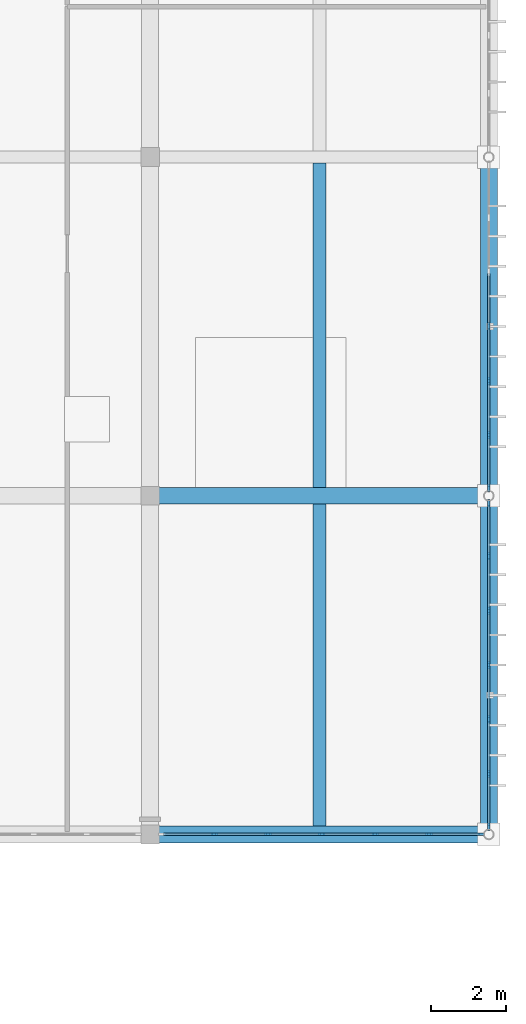
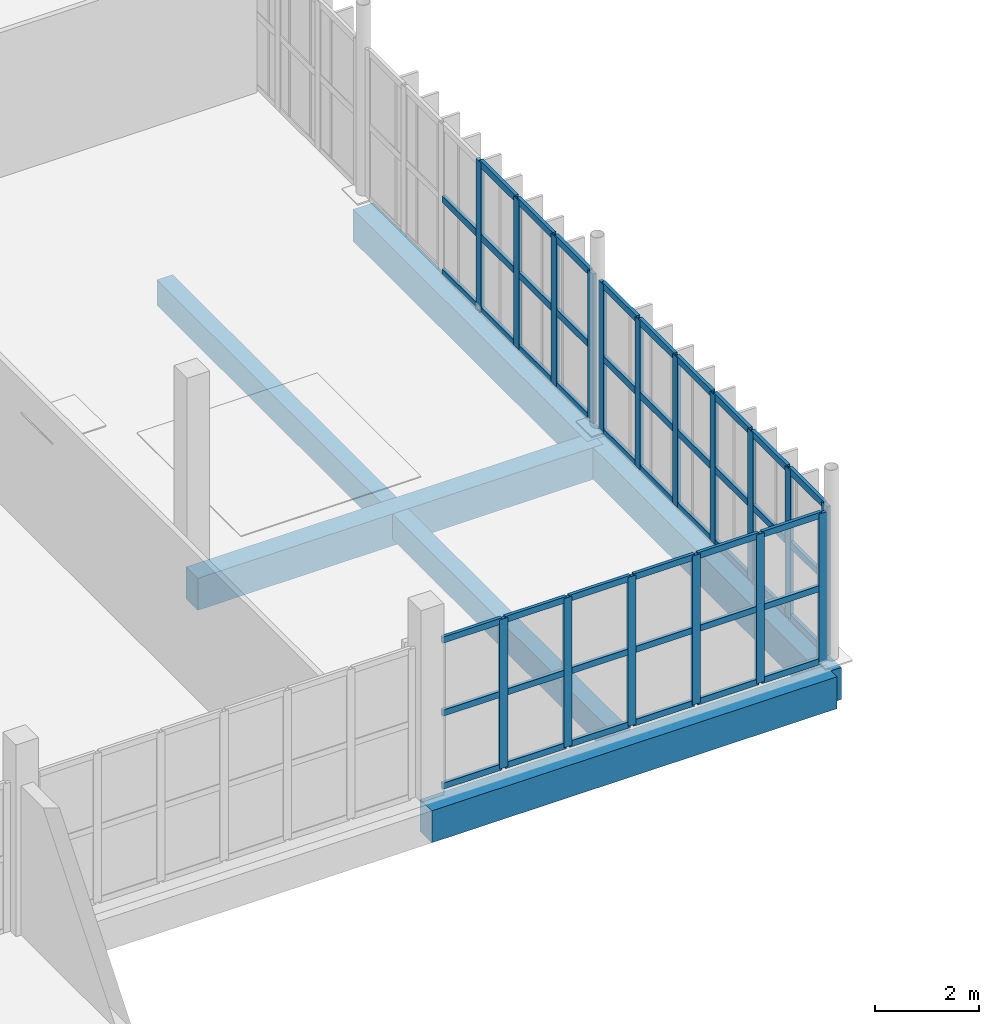
# One storey, part 31 of 81: 64 members, 6 beams, 3 elements without a shape of their own.
"""IFC4 building model written with IfcOpenShell, lengths in metres."""

from ifc_helpers import new_model, si_unit, direction, frame, origin, origin_2d, place, context, subcontext, project, spatial, rectangle, extrude, material, material_profile, profile_set, type_object, element, aggregate, save


model = new_model("IFC4")

# Units and contexts
model_context = context("Model", 3, precision=1e-05, world=origin(), true_north=direction((0.0, 1.0)))
body_context = subcontext(model_context, "Body", "Model", "MODEL_VIEW")
ifc_project = project(units=[si_unit("LENGTHUNIT", "METRE"), si_unit("AREAUNIT", "SQUARE_METRE"), si_unit("VOLUMEUNIT", "CUBIC_METRE"), si_unit("PLANEANGLEUNIT", "RADIAN"), si_unit("MASSUNIT", "GRAM", prefix="KILO")], contexts=[model_context])

# Site, building, storey
site_placement = place(None, origin())
site = spatial("IfcSite", under=ifc_project, at=site_placement, CompositionType="ELEMENT")
building_placement = place(site_placement, origin())
building = spatial("IfcBuilding", under=site, at=building_placement, Name="Vourika Railside Aquatics Centre", CompositionType="ELEMENT")
storey_placement = place(building_placement, frame((0.0, 0.0, 4.800048828125)))
storey = spatial("IfcBuildingStorey", under=building, at=storey_placement, Name="L01", CompositionType="ELEMENT", Elevation=4.800048828125)

# Beams
ifc_material_1 = material(Name="Concrete C35/45", Category="concrete")
ifc_material_profile_1 = material_profile(ifc_material_1, rectangle(XDim=0.449951171875, YDim=0.75, at=origin_2d()), Name="RC 450x750")
ifc_profile_set_1 = profile_set([ifc_material_profile_1], Name="Concrete C35/45")
beam_type_1 = type_object("IfcBeamType", Name="BM-GIRD-450x750", PredefinedType="BEAM", material=ifc_profile_set_1)
for number, where, z_axis, x_axis, name in (
    (1, (159.0, 40.0, -0.675048828125), (1.0, 0.0, 0.0), (0.0, 1.0, 0.0), "Floor Beam GX-L01-050"),
    (2, (159.0, 49.0, -0.675048828125), (1.0, 0.0, 0.0), (0.0, 1.0, 0.0), "Floor Beam GX-L01-057"),
    (3, (168.0, 40.0, -0.675048828125), (0.0, 1.0, 0.0), (-1.0, 0.0, 0.0), "Floor Girder GY-L01-292"),
    (4, (168.0, 49.0, -0.675048828125), (0.0, 1.0, 0.0), (-1.0, 0.0, 0.0), "Floor Girder GY-L01-293"),
):
    element("IfcBeam", number, at=place(storey_placement, frame(where, z_axis=z_axis, x_axis=x_axis)), inside=storey, type_object=beam_type_1, Name=name, PredefinedType="BEAM", context=body_context, shape_type="SweptSolid", body=[
        extrude(rectangle(XDim=0.449951171875, YDim=0.75, at=origin_2d()), origin(), (0.0, 0.0, 1.0), 9.0),
    ])
ifc_material_profile_2 = material_profile(ifc_material_1, rectangle(XDim=0.35009765625, YDim=0.60009765625, at=origin_2d()), Name="RC 350x600")
ifc_profile_set_2 = profile_set([ifc_material_profile_2], Name="Concrete C35/45")
beam_type_2 = type_object("IfcBeamType", Name="BM-SEC-350x600", PredefinedType="JOIST", material=ifc_profile_set_2)
beam_1_placement = place(storey_placement, frame((163.5, 40.22509765625, -0.60009765625), z_axis=(0.0, 1.0, 0.0), x_axis=(-1.0, 0.0, 0.0)))
element("IfcBeam", 5, at=beam_1_placement, inside=storey, type_object=beam_type_2, Name="Secondary Joist JY-L01-325", PredefinedType="JOIST", context=body_context, shape_type="SweptSolid", body=[
    extrude(rectangle(XDim=0.35009765625, YDim=0.60009765625, at=origin_2d()), origin(), (0.0, 0.0, 1.0), 8.5498046875),
])
beam_2_placement = place(storey_placement, frame((163.5, 49.22509765625, -0.60009765625), z_axis=(0.0, 1.0, 0.0), x_axis=(-1.0, 0.0, 0.0)))
element("IfcBeam", 6, at=beam_2_placement, inside=storey, type_object=beam_type_2, Name="Secondary Joist JY-L01-330", PredefinedType="JOIST", context=body_context, shape_type="SweptSolid", body=[
    extrude(rectangle(XDim=0.35009765625, YDim=0.60009765625, at=origin_2d()), origin(), (0.0, 0.0, 1.0), 8.614990234375),
])

# Curtain wall, members
ifc_material_2 = material(Name="Anodized thermally broken aluminium", Category="aluminium")
curtain_wall_type_1 = type_object("IfcCurtainWallType", Name="CW-FOYE", PredefinedType="NOTDEFINED", material=ifc_material_2)
curtain_wall_1_placement = place(storey_placement, origin())
curtain_wall_1 = element("IfcCurtainWall", 7, at=curtain_wall_1_placement, inside=storey, type_object=curtain_wall_type_1, Name="East Arrival Facade Curtain Wall L01-1", PredefinedType="NOTDEFINED")
ifc_material_3 = material(Name="Anodized aluminium mullion", Category="aluminium")
ifc_material_profile_3 = material_profile(ifc_material_3, rectangle(XDim=0.074951171875, YDim=0.199951171875, at=origin_2d()), Name="ALU-M 75x200")
ifc_profile_set_3 = profile_set([ifc_material_profile_3], Name="Anodized aluminium mullion")
member_type_1 = type_object("IfcMemberType", Name="CWM-FOYE", PredefinedType="MULLION", material=ifc_profile_set_3)
member_1_placement = place(storey_placement, frame((168.0, 40.2041015625, 0.0), z_axis=(0.0, 0.0, 1.0), x_axis=(-1.0, 0.0, 0.0)))
member_1 = element("IfcMember", 8, at=member_1_placement, type_object=member_type_1, Name="CW10 mullion 1", PredefinedType="MULLION", context=body_context, shape_type="SweptSolid", body=[
    extrude(rectangle(XDim=0.074951171875, YDim=0.199951171875, at=origin_2d()), origin(), (0.0, 0.0, 1.0), 3.5),
])
member_2_placement = place(storey_placement, frame((168.0, 41.611083984375, 0.0), z_axis=(0.0, 0.0, 1.0), x_axis=(-1.0, 0.0, 0.0)))
member_2 = element("IfcMember", 9, at=member_2_placement, type_object=member_type_1, Name="CW10 mullion 2", PredefinedType="MULLION", context=body_context, shape_type="SweptSolid", body=[
    extrude(rectangle(XDim=0.074951171875, YDim=0.199951171875, at=origin_2d()), origin(), (0.0, 0.0, 1.0), 3.5),
])
member_3_placement = place(storey_placement, frame((168.0, 43.055419921875, 0.0), z_axis=(0.0, 0.0, 1.0), x_axis=(-1.0, 0.0, 0.0)))
member_3 = element("IfcMember", 10, at=member_3_placement, type_object=member_type_1, Name="CW10 mullion 3", PredefinedType="MULLION", context=body_context, shape_type="SweptSolid", body=[
    extrude(rectangle(XDim=0.074951171875, YDim=0.199951171875, at=origin_2d()), origin(), (0.0, 0.0, 1.0), 3.5),
])
member_4_placement = place(storey_placement, frame((168.0, 44.5, 0.0), z_axis=(0.0, 0.0, 1.0), x_axis=(-1.0, 0.0, 0.0)))
member_4 = element("IfcMember", 11, at=member_4_placement, type_object=member_type_1, Name="CW10 mullion 4", PredefinedType="MULLION", context=body_context, shape_type="SweptSolid", body=[
    extrude(rectangle(XDim=0.074951171875, YDim=0.199951171875, at=origin_2d()), origin(), (0.0, 0.0, 1.0), 3.5),
])
member_5_placement = place(storey_placement, frame((168.0, 45.944580078125, 0.0), z_axis=(0.0, 0.0, 1.0), x_axis=(-1.0, 0.0, 0.0)))
member_5 = element("IfcMember", 12, at=member_5_placement, type_object=member_type_1, Name="CW10 mullion 5", PredefinedType="MULLION", context=body_context, shape_type="SweptSolid", body=[
    extrude(rectangle(XDim=0.074951171875, YDim=0.199951171875, at=origin_2d()), origin(), (0.0, 0.0, 1.0), 3.5),
])
member_6_placement = place(storey_placement, frame((168.0, 47.388916015625, 0.0), z_axis=(0.0, 0.0, 1.0), x_axis=(-1.0, 0.0, 0.0)))
member_6 = element("IfcMember", 13, at=member_6_placement, type_object=member_type_1, Name="CW10 mullion 6", PredefinedType="MULLION", context=body_context, shape_type="SweptSolid", body=[
    extrude(rectangle(XDim=0.074951171875, YDim=0.199951171875, at=origin_2d()), origin(), (0.0, 0.0, 1.0), 3.5),
])
member_7_placement = place(storey_placement, frame((168.0, 48.7958984375, 0.0), z_axis=(0.0, 0.0, 1.0), x_axis=(-1.0, 0.0, 0.0)))
member_7 = element("IfcMember", 14, at=member_7_placement, type_object=member_type_1, Name="CW10 mullion 7", PredefinedType="MULLION", context=body_context, shape_type="SweptSolid", body=[
    extrude(rectangle(XDim=0.074951171875, YDim=0.199951171875, at=origin_2d()), origin(), (0.0, 0.0, 1.0), 3.5),
])

curtain_wall_2_placement = place(storey_placement, origin())
curtain_wall_2 = element("IfcCurtainWall", 15, at=curtain_wall_2_placement, inside=storey, type_object=curtain_wall_type_1, Name="East Arrival Facade Curtain Wall L01-2", PredefinedType="NOTDEFINED")
member_8_placement = place(storey_placement, frame((168.0, 49.2041015625, 0.0), z_axis=(0.0, 0.0, 1.0), x_axis=(-1.0, 0.0, 0.0)))
member_8 = element("IfcMember", 16, at=member_8_placement, type_object=member_type_1, Name="CW10 mullion 1", PredefinedType="MULLION", context=body_context, shape_type="SweptSolid", body=[
    extrude(rectangle(XDim=0.074951171875, YDim=0.199951171875, at=origin_2d()), origin(), (0.0, 0.0, 1.0), 3.5),
])
member_9_placement = place(storey_placement, frame((168.0, 50.611083984375, 0.0), z_axis=(0.0, 0.0, 1.0), x_axis=(-1.0, 0.0, 0.0)))
member_9 = element("IfcMember", 17, at=member_9_placement, type_object=member_type_1, Name="CW10 mullion 2", PredefinedType="MULLION", context=body_context, shape_type="SweptSolid", body=[
    extrude(rectangle(XDim=0.074951171875, YDim=0.199951171875, at=origin_2d()), origin(), (0.0, 0.0, 1.0), 3.5),
])
member_10_placement = place(storey_placement, frame((168.0, 52.055419921875, 0.0), z_axis=(0.0, 0.0, 1.0), x_axis=(-1.0, 0.0, 0.0)))
member_10 = element("IfcMember", 18, at=member_10_placement, type_object=member_type_1, Name="CW10 mullion 3", PredefinedType="MULLION", context=body_context, shape_type="SweptSolid", body=[
    extrude(rectangle(XDim=0.074951171875, YDim=0.199951171875, at=origin_2d()), origin(), (0.0, 0.0, 1.0), 3.5),
])
member_11_placement = place(storey_placement, frame((168.0, 53.5, 0.0), z_axis=(0.0, 0.0, 1.0), x_axis=(-1.0, 0.0, 0.0)))
member_11 = element("IfcMember", 19, at=member_11_placement, type_object=member_type_1, Name="CW10 mullion 4", PredefinedType="MULLION", context=body_context, shape_type="SweptSolid", body=[
    extrude(rectangle(XDim=0.074951171875, YDim=0.199951171875, at=origin_2d()), origin(), (0.0, 0.0, 1.0), 3.5),
])

curtain_wall_type_2 = type_object("IfcCurtainWallType", Name="CW-FOYS", PredefinedType="NOTDEFINED", material=ifc_material_2)
curtain_wall_3_placement = place(storey_placement, origin())
curtain_wall_3 = element("IfcCurtainWall", 20, at=curtain_wall_3_placement, inside=storey, type_object=curtain_wall_type_2, Name="Foyer South Glazed Facade L01-3", PredefinedType="NOTDEFINED")
ifc_material_profile_4 = material_profile(ifc_material_3, rectangle(XDim=0.072021484375, YDim=0.181884765625, at=origin_2d()), Name="ALU-M 72x182")
ifc_profile_set_4 = profile_set([ifc_material_profile_4], Name="Anodized aluminium mullion")
member_type_2 = type_object("IfcMemberType", Name="CWM-FOYS", PredefinedType="MULLION", material=ifc_profile_set_4)
member_12_placement = place(storey_placement, frame((160.70556640625, 40.0, 0.0), z_axis=(0.0, 0.0, 1.0), x_axis=(0.0, 1.0, 0.0)))
member_12 = element("IfcMember", 21, at=member_12_placement, type_object=member_type_2, Name="CW11 mullion 2", PredefinedType="MULLION", context=body_context, shape_type="SweptSolid", body=[
    extrude(rectangle(XDim=0.072021484375, YDim=0.181884765625, at=origin_2d()), origin(), (0.0, 0.0, 1.0), 3.5),
])
member_13_placement = place(storey_placement, frame((162.131103515625, 40.0, 0.0), z_axis=(0.0, 0.0, 1.0), x_axis=(0.0, 1.0, 0.0)))
member_13 = element("IfcMember", 22, at=member_13_placement, type_object=member_type_2, Name="CW11 mullion 3", PredefinedType="MULLION", context=body_context, shape_type="SweptSolid", body=[
    extrude(rectangle(XDim=0.072021484375, YDim=0.181884765625, at=origin_2d()), origin(), (0.0, 0.0, 1.0), 3.5),
])
member_14_placement = place(storey_placement, frame((163.556640625, 40.0, 0.0), z_axis=(0.0, 0.0, 1.0), x_axis=(0.0, 1.0, 0.0)))
member_14 = element("IfcMember", 23, at=member_14_placement, type_object=member_type_2, Name="CW11 mullion 4", PredefinedType="MULLION", context=body_context, shape_type="SweptSolid", body=[
    extrude(rectangle(XDim=0.072021484375, YDim=0.181884765625, at=origin_2d()), origin(), (0.0, 0.0, 1.0), 3.5),
])
member_15_placement = place(storey_placement, frame((164.982421875, 40.0, 0.0), z_axis=(0.0, 0.0, 1.0), x_axis=(0.0, 1.0, 0.0)))
member_15 = element("IfcMember", 24, at=member_15_placement, type_object=member_type_2, Name="CW11 mullion 5", PredefinedType="MULLION", context=body_context, shape_type="SweptSolid", body=[
    extrude(rectangle(XDim=0.072021484375, YDim=0.181884765625, at=origin_2d()), origin(), (0.0, 0.0, 1.0), 3.5),
])
member_16_placement = place(storey_placement, frame((166.407958984375, 40.0, 0.0), z_axis=(0.0, 0.0, 1.0), x_axis=(0.0, 1.0, 0.0)))
member_16 = element("IfcMember", 25, at=member_16_placement, type_object=member_type_2, Name="CW11 mullion 6", PredefinedType="MULLION", context=body_context, shape_type="SweptSolid", body=[
    extrude(rectangle(XDim=0.072021484375, YDim=0.181884765625, at=origin_2d()), origin(), (0.0, 0.0, 1.0), 3.5),
])
member_17_placement = place(storey_placement, frame((167.797607421875, 40.0, 0.0), z_axis=(0.0, 0.0, 1.0), x_axis=(0.0, 1.0, 0.0)))
member_17 = element("IfcMember", 26, at=member_17_placement, type_object=member_type_2, Name="CW11 mullion 7", PredefinedType="MULLION", context=body_context, shape_type="SweptSolid", body=[
    extrude(rectangle(XDim=0.072021484375, YDim=0.181884765625, at=origin_2d()), origin(), (0.0, 0.0, 1.0), 3.5),
])

# Member
ifc_material_4 = material(Name="Anodized aluminium transom", Category="aluminium")
ifc_material_profile_5 = material_profile(ifc_material_4, rectangle(XDim=0.074951171875, YDim=0.157958984375, at=origin_2d()), Name="ALU-T 75x158")
ifc_profile_set_5 = profile_set([ifc_material_profile_5], Name="Anodized aluminium transom")
member_type_3 = type_object("IfcMemberType", Name="CWT-FOYE", PredefinedType="USERDEFINED", material=ifc_profile_set_5)
member_18_placement = place(storey_placement, frame((168.0, 40.241455078125, 0.037353515625), z_axis=(0.0, 1.0, 0.0), x_axis=(-1.0, 0.0, 0.0)))
member_18 = element("IfcMember", 27, at=member_18_placement, type_object=member_type_3, Name="CW10 transom 1.1", ObjectType="TRANSOM", PredefinedType="USERDEFINED", context=body_context, shape_type="SweptSolid", body=[
    extrude(rectangle(XDim=0.074951171875, YDim=0.157958984375, at=origin_2d()), origin(), (0.0, 0.0, 1.0), 1.33203125),
])

member_19_placement = place(storey_placement, frame((168.0, 40.241455078125, 1.75), z_axis=(0.0, 1.0, 0.0), x_axis=(-1.0, 0.0, 0.0)))
member_19 = element("IfcMember", 28, at=member_19_placement, type_object=member_type_3, Name="CW10 transom 1.2", ObjectType="TRANSOM", PredefinedType="USERDEFINED", context=body_context, shape_type="SweptSolid", body=[
    extrude(rectangle(XDim=0.074951171875, YDim=0.157958984375, at=origin_2d()), origin(), (0.0, 0.0, 1.0), 1.33203125),
])

member_20_placement = place(storey_placement, frame((168.0, 40.241455078125, 3.46240234375), z_axis=(0.0, 1.0, 0.0), x_axis=(-1.0, 0.0, 0.0)))
member_20 = element("IfcMember", 29, at=member_20_placement, type_object=member_type_3, Name="CW10 transom 1.3", ObjectType="TRANSOM", PredefinedType="USERDEFINED", context=body_context, shape_type="SweptSolid", body=[
    extrude(rectangle(XDim=0.074951171875, YDim=0.157958984375, at=origin_2d()), origin(), (0.0, 0.0, 1.0), 1.33203125),
])

member_21_placement = place(storey_placement, frame((168.0, 41.6484375, 0.037353515625), z_axis=(0.0, 1.0, 0.0), x_axis=(-1.0, 0.0, 0.0)))
member_21 = element("IfcMember", 30, at=member_21_placement, type_object=member_type_3, Name="CW10 transom 2.1", ObjectType="TRANSOM", PredefinedType="USERDEFINED", context=body_context, shape_type="SweptSolid", body=[
    extrude(rectangle(XDim=0.074951171875, YDim=0.157958984375, at=origin_2d()), origin(), (0.0, 0.0, 1.0), 1.36962890625),
])

member_22_placement = place(storey_placement, frame((168.0, 41.6484375, 1.75), z_axis=(0.0, 1.0, 0.0), x_axis=(-1.0, 0.0, 0.0)))
member_22 = element("IfcMember", 31, at=member_22_placement, type_object=member_type_3, Name="CW10 transom 2.2", ObjectType="TRANSOM", PredefinedType="USERDEFINED", context=body_context, shape_type="SweptSolid", body=[
    extrude(rectangle(XDim=0.074951171875, YDim=0.157958984375, at=origin_2d()), origin(), (0.0, 0.0, 1.0), 1.36962890625),
])

member_23_placement = place(storey_placement, frame((168.0, 41.6484375, 3.46240234375), z_axis=(0.0, 1.0, 0.0), x_axis=(-1.0, 0.0, 0.0)))
member_23 = element("IfcMember", 32, at=member_23_placement, type_object=member_type_3, Name="CW10 transom 2.3", ObjectType="TRANSOM", PredefinedType="USERDEFINED", context=body_context, shape_type="SweptSolid", body=[
    extrude(rectangle(XDim=0.074951171875, YDim=0.157958984375, at=origin_2d()), origin(), (0.0, 0.0, 1.0), 1.36962890625),
])

member_24_placement = place(storey_placement, frame((168.0, 43.093017578125, 0.037353515625), z_axis=(0.0, 1.0, 0.0), x_axis=(-1.0, 0.0, 0.0)))
member_24 = element("IfcMember", 33, at=member_24_placement, type_object=member_type_3, Name="CW10 transom 3.1", ObjectType="TRANSOM", PredefinedType="USERDEFINED", context=body_context, shape_type="SweptSolid", body=[
    extrude(rectangle(XDim=0.074951171875, YDim=0.157958984375, at=origin_2d()), origin(), (0.0, 0.0, 1.0), 1.369384765625),
])

member_25_placement = place(storey_placement, frame((168.0, 43.093017578125, 1.75), z_axis=(0.0, 1.0, 0.0), x_axis=(-1.0, 0.0, 0.0)))
member_25 = element("IfcMember", 34, at=member_25_placement, type_object=member_type_3, Name="CW10 transom 3.2", ObjectType="TRANSOM", PredefinedType="USERDEFINED", context=body_context, shape_type="SweptSolid", body=[
    extrude(rectangle(XDim=0.074951171875, YDim=0.157958984375, at=origin_2d()), origin(), (0.0, 0.0, 1.0), 1.369384765625),
])

member_26_placement = place(storey_placement, frame((168.0, 43.093017578125, 3.46240234375), z_axis=(0.0, 1.0, 0.0), x_axis=(-1.0, 0.0, 0.0)))
member_26 = element("IfcMember", 35, at=member_26_placement, type_object=member_type_3, Name="CW10 transom 3.3", ObjectType="TRANSOM", PredefinedType="USERDEFINED", context=body_context, shape_type="SweptSolid", body=[
    extrude(rectangle(XDim=0.074951171875, YDim=0.157958984375, at=origin_2d()), origin(), (0.0, 0.0, 1.0), 1.369384765625),
])

member_27_placement = place(storey_placement, frame((168.0, 44.53759765625, 0.037353515625), z_axis=(0.0, 1.0, 0.0), x_axis=(-1.0, 0.0, 0.0)))
member_27 = element("IfcMember", 36, at=member_27_placement, type_object=member_type_3, Name="CW10 transom 4.1", ObjectType="TRANSOM", PredefinedType="USERDEFINED", context=body_context, shape_type="SweptSolid", body=[
    extrude(rectangle(XDim=0.074951171875, YDim=0.157958984375, at=origin_2d()), origin(), (0.0, 0.0, 1.0), 1.369384765625),
])

member_28_placement = place(storey_placement, frame((168.0, 44.53759765625, 1.75), z_axis=(0.0, 1.0, 0.0), x_axis=(-1.0, 0.0, 0.0)))
member_28 = element("IfcMember", 37, at=member_28_placement, type_object=member_type_3, Name="CW10 transom 4.2", ObjectType="TRANSOM", PredefinedType="USERDEFINED", context=body_context, shape_type="SweptSolid", body=[
    extrude(rectangle(XDim=0.074951171875, YDim=0.157958984375, at=origin_2d()), origin(), (0.0, 0.0, 1.0), 1.369384765625),
])

member_29_placement = place(storey_placement, frame((168.0, 44.53759765625, 3.46240234375), z_axis=(0.0, 1.0, 0.0), x_axis=(-1.0, 0.0, 0.0)))
member_29 = element("IfcMember", 38, at=member_29_placement, type_object=member_type_3, Name="CW10 transom 4.3", ObjectType="TRANSOM", PredefinedType="USERDEFINED", context=body_context, shape_type="SweptSolid", body=[
    extrude(rectangle(XDim=0.074951171875, YDim=0.157958984375, at=origin_2d()), origin(), (0.0, 0.0, 1.0), 1.369384765625),
])

member_30_placement = place(storey_placement, frame((168.0, 45.98193359375, 0.037353515625), z_axis=(0.0, 1.0, 0.0), x_axis=(-1.0, 0.0, 0.0)))
member_30 = element("IfcMember", 39, at=member_30_placement, type_object=member_type_3, Name="CW10 transom 5.1", ObjectType="TRANSOM", PredefinedType="USERDEFINED", context=body_context, shape_type="SweptSolid", body=[
    extrude(rectangle(XDim=0.074951171875, YDim=0.157958984375, at=origin_2d()), origin(), (0.0, 0.0, 1.0), 1.36962890625),
])

member_31_placement = place(storey_placement, frame((168.0, 45.98193359375, 1.75), z_axis=(0.0, 1.0, 0.0), x_axis=(-1.0, 0.0, 0.0)))
member_31 = element("IfcMember", 40, at=member_31_placement, type_object=member_type_3, Name="CW10 transom 5.2", ObjectType="TRANSOM", PredefinedType="USERDEFINED", context=body_context, shape_type="SweptSolid", body=[
    extrude(rectangle(XDim=0.074951171875, YDim=0.157958984375, at=origin_2d()), origin(), (0.0, 0.0, 1.0), 1.36962890625),
])

member_32_placement = place(storey_placement, frame((168.0, 45.98193359375, 3.46240234375), z_axis=(0.0, 1.0, 0.0), x_axis=(-1.0, 0.0, 0.0)))
member_32 = element("IfcMember", 41, at=member_32_placement, type_object=member_type_3, Name="CW10 transom 5.3", ObjectType="TRANSOM", PredefinedType="USERDEFINED", context=body_context, shape_type="SweptSolid", body=[
    extrude(rectangle(XDim=0.074951171875, YDim=0.157958984375, at=origin_2d()), origin(), (0.0, 0.0, 1.0), 1.36962890625),
])

member_33_placement = place(storey_placement, frame((168.0, 47.426513671875, 0.037353515625), z_axis=(0.0, 1.0, 0.0), x_axis=(-1.0, 0.0, 0.0)))
member_33 = element("IfcMember", 42, at=member_33_placement, type_object=member_type_3, Name="CW10 transom 6.1", ObjectType="TRANSOM", PredefinedType="USERDEFINED", context=body_context, shape_type="SweptSolid", body=[
    extrude(rectangle(XDim=0.074951171875, YDim=0.157958984375, at=origin_2d()), origin(), (0.0, 0.0, 1.0), 1.33203125),
])

member_34_placement = place(storey_placement, frame((168.0, 47.426513671875, 1.75), z_axis=(0.0, 1.0, 0.0), x_axis=(-1.0, 0.0, 0.0)))
member_34 = element("IfcMember", 43, at=member_34_placement, type_object=member_type_3, Name="CW10 transom 6.2", ObjectType="TRANSOM", PredefinedType="USERDEFINED", context=body_context, shape_type="SweptSolid", body=[
    extrude(rectangle(XDim=0.074951171875, YDim=0.157958984375, at=origin_2d()), origin(), (0.0, 0.0, 1.0), 1.33203125),
])

member_35_placement = place(storey_placement, frame((168.0, 47.426513671875, 3.46240234375), z_axis=(0.0, 1.0, 0.0), x_axis=(-1.0, 0.0, 0.0)))
member_35 = element("IfcMember", 44, at=member_35_placement, type_object=member_type_3, Name="CW10 transom 6.3", ObjectType="TRANSOM", PredefinedType="USERDEFINED", context=body_context, shape_type="SweptSolid", body=[
    extrude(rectangle(XDim=0.074951171875, YDim=0.157958984375, at=origin_2d()), origin(), (0.0, 0.0, 1.0), 1.33203125),
])

aggregate(curtain_wall_1, [member_1, member_2, member_3, member_4, member_5, member_6, member_7, member_18, member_19, member_20, member_21, member_22, member_23, member_24, member_25, member_26, member_27, member_28, member_29, member_30, member_31, member_32, member_33, member_34, member_35])

member_36_placement = place(storey_placement, frame((168.0, 49.241455078125, 0.037353515625), z_axis=(0.0, 1.0, 0.0), x_axis=(-1.0, 0.0, 0.0)))
member_36 = element("IfcMember", 45, at=member_36_placement, type_object=member_type_3, Name="CW10 transom 1.1", ObjectType="TRANSOM", PredefinedType="USERDEFINED", context=body_context, shape_type="SweptSolid", body=[
    extrude(rectangle(XDim=0.074951171875, YDim=0.157958984375, at=origin_2d()), origin(), (0.0, 0.0, 1.0), 1.33203125),
])

member_37_placement = place(storey_placement, frame((168.0, 49.241455078125, 1.75), z_axis=(0.0, 1.0, 0.0), x_axis=(-1.0, 0.0, 0.0)))
member_37 = element("IfcMember", 46, at=member_37_placement, type_object=member_type_3, Name="CW10 transom 1.2", ObjectType="TRANSOM", PredefinedType="USERDEFINED", context=body_context, shape_type="SweptSolid", body=[
    extrude(rectangle(XDim=0.074951171875, YDim=0.157958984375, at=origin_2d()), origin(), (0.0, 0.0, 1.0), 1.33203125),
])

member_38_placement = place(storey_placement, frame((168.0, 49.241455078125, 3.46240234375), z_axis=(0.0, 1.0, 0.0), x_axis=(-1.0, 0.0, 0.0)))
member_38 = element("IfcMember", 47, at=member_38_placement, type_object=member_type_3, Name="CW10 transom 1.3", ObjectType="TRANSOM", PredefinedType="USERDEFINED", context=body_context, shape_type="SweptSolid", body=[
    extrude(rectangle(XDim=0.074951171875, YDim=0.157958984375, at=origin_2d()), origin(), (0.0, 0.0, 1.0), 1.33203125),
])

member_39_placement = place(storey_placement, frame((168.0, 50.6484375, 0.037353515625), z_axis=(0.0, 1.0, 0.0), x_axis=(-1.0, 0.0, 0.0)))
member_39 = element("IfcMember", 48, at=member_39_placement, type_object=member_type_3, Name="CW10 transom 2.1", ObjectType="TRANSOM", PredefinedType="USERDEFINED", context=body_context, shape_type="SweptSolid", body=[
    extrude(rectangle(XDim=0.074951171875, YDim=0.157958984375, at=origin_2d()), origin(), (0.0, 0.0, 1.0), 1.36962890625),
])

member_40_placement = place(storey_placement, frame((168.0, 50.6484375, 1.75), z_axis=(0.0, 1.0, 0.0), x_axis=(-1.0, 0.0, 0.0)))
member_40 = element("IfcMember", 49, at=member_40_placement, type_object=member_type_3, Name="CW10 transom 2.2", ObjectType="TRANSOM", PredefinedType="USERDEFINED", context=body_context, shape_type="SweptSolid", body=[
    extrude(rectangle(XDim=0.074951171875, YDim=0.157958984375, at=origin_2d()), origin(), (0.0, 0.0, 1.0), 1.36962890625),
])

member_41_placement = place(storey_placement, frame((168.0, 50.6484375, 3.46240234375), z_axis=(0.0, 1.0, 0.0), x_axis=(-1.0, 0.0, 0.0)))
member_41 = element("IfcMember", 50, at=member_41_placement, type_object=member_type_3, Name="CW10 transom 2.3", ObjectType="TRANSOM", PredefinedType="USERDEFINED", context=body_context, shape_type="SweptSolid", body=[
    extrude(rectangle(XDim=0.074951171875, YDim=0.157958984375, at=origin_2d()), origin(), (0.0, 0.0, 1.0), 1.36962890625),
])

member_42_placement = place(storey_placement, frame((168.0, 52.093017578125, 0.037353515625), z_axis=(0.0, 1.0, 0.0), x_axis=(-1.0, 0.0, 0.0)))
member_42 = element("IfcMember", 51, at=member_42_placement, type_object=member_type_3, Name="CW10 transom 3.1", ObjectType="TRANSOM", PredefinedType="USERDEFINED", context=body_context, shape_type="SweptSolid", body=[
    extrude(rectangle(XDim=0.074951171875, YDim=0.157958984375, at=origin_2d()), origin(), (0.0, 0.0, 1.0), 1.369384765625),
])

member_43_placement = place(storey_placement, frame((168.0, 52.093017578125, 1.75), z_axis=(0.0, 1.0, 0.0), x_axis=(-1.0, 0.0, 0.0)))
member_43 = element("IfcMember", 52, at=member_43_placement, type_object=member_type_3, Name="CW10 transom 3.2", ObjectType="TRANSOM", PredefinedType="USERDEFINED", context=body_context, shape_type="SweptSolid", body=[
    extrude(rectangle(XDim=0.074951171875, YDim=0.157958984375, at=origin_2d()), origin(), (0.0, 0.0, 1.0), 1.369384765625),
])

member_44_placement = place(storey_placement, frame((168.0, 52.093017578125, 3.46240234375), z_axis=(0.0, 1.0, 0.0), x_axis=(-1.0, 0.0, 0.0)))
member_44 = element("IfcMember", 53, at=member_44_placement, type_object=member_type_3, Name="CW10 transom 3.3", ObjectType="TRANSOM", PredefinedType="USERDEFINED", context=body_context, shape_type="SweptSolid", body=[
    extrude(rectangle(XDim=0.074951171875, YDim=0.157958984375, at=origin_2d()), origin(), (0.0, 0.0, 1.0), 1.369384765625),
])

member_45_placement = place(storey_placement, frame((168.0, 53.53759765625, 0.037353515625), z_axis=(0.0, 1.0, 0.0), x_axis=(-1.0, 0.0, 0.0)))
member_45 = element("IfcMember", 54, at=member_45_placement, type_object=member_type_3, Name="CW10 transom 4.1", ObjectType="TRANSOM", PredefinedType="USERDEFINED", context=body_context, shape_type="SweptSolid", body=[
    extrude(rectangle(XDim=0.074951171875, YDim=0.157958984375, at=origin_2d()), origin(), (0.0, 0.0, 1.0), 1.369384765625),
])

member_46_placement = place(storey_placement, frame((168.0, 53.53759765625, 1.75), z_axis=(0.0, 1.0, 0.0), x_axis=(-1.0, 0.0, 0.0)))
member_46 = element("IfcMember", 55, at=member_46_placement, type_object=member_type_3, Name="CW10 transom 4.2", ObjectType="TRANSOM", PredefinedType="USERDEFINED", context=body_context, shape_type="SweptSolid", body=[
    extrude(rectangle(XDim=0.074951171875, YDim=0.157958984375, at=origin_2d()), origin(), (0.0, 0.0, 1.0), 1.369384765625),
])

aggregate(curtain_wall_2, [member_8, member_9, member_10, member_11, member_36, member_37, member_38, member_39, member_40, member_41, member_42, member_43, member_44, member_45, member_46])

ifc_material_profile_6 = material_profile(ifc_material_4, rectangle(XDim=0.072021484375, YDim=0.14404296875, at=origin_2d()), Name="ALU-T 72x144")
ifc_profile_set_6 = profile_set([ifc_material_profile_6], Name="Anodized aluminium transom")
member_type_4 = type_object("IfcMemberType", Name="CWT-FOYS", PredefinedType="USERDEFINED", material=ifc_profile_set_6)
member_47_placement = place(storey_placement, frame((159.35205078125, 40.0, 0.035888671875), z_axis=(1.0, 0.0, 0.0), x_axis=(0.0, 1.0, 0.0)))
member_47 = element("IfcMember", 56, at=member_47_placement, type_object=member_type_4, Name="CW11 transom 1.1", ObjectType="TRANSOM", PredefinedType="USERDEFINED", context=body_context, shape_type="SweptSolid", body=[
    extrude(rectangle(XDim=0.072021484375, YDim=0.14404296875, at=origin_2d()), origin(), (0.0, 0.0, 1.0), 1.317626953125),
])

member_48_placement = place(storey_placement, frame((159.35205078125, 40.0, 1.75), z_axis=(1.0, 0.0, 0.0), x_axis=(0.0, 1.0, 0.0)))
member_48 = element("IfcMember", 57, at=member_48_placement, type_object=member_type_4, Name="CW11 transom 1.2", ObjectType="TRANSOM", PredefinedType="USERDEFINED", context=body_context, shape_type="SweptSolid", body=[
    extrude(rectangle(XDim=0.072021484375, YDim=0.14404296875, at=origin_2d()), origin(), (0.0, 0.0, 1.0), 1.317626953125),
])

member_49_placement = place(storey_placement, frame((159.35205078125, 40.0, 3.4638671875), z_axis=(1.0, 0.0, 0.0), x_axis=(0.0, 1.0, 0.0)))
member_49 = element("IfcMember", 58, at=member_49_placement, type_object=member_type_4, Name="CW11 transom 1.3", ObjectType="TRANSOM", PredefinedType="USERDEFINED", context=body_context, shape_type="SweptSolid", body=[
    extrude(rectangle(XDim=0.072021484375, YDim=0.14404296875, at=origin_2d()), origin(), (0.0, 0.0, 1.0), 1.317626953125),
])

member_50_placement = place(storey_placement, frame((160.74169921875, 40.0, 0.035888671875), z_axis=(1.0, 0.0, 0.0), x_axis=(0.0, 1.0, 0.0)))
member_50 = element("IfcMember", 59, at=member_50_placement, type_object=member_type_4, Name="CW11 transom 2.1", ObjectType="TRANSOM", PredefinedType="USERDEFINED", context=body_context, shape_type="SweptSolid", body=[
    extrude(rectangle(XDim=0.072021484375, YDim=0.14404296875, at=origin_2d()), origin(), (0.0, 0.0, 1.0), 1.353515625),
])

member_51_placement = place(storey_placement, frame((160.74169921875, 40.0, 1.75), z_axis=(1.0, 0.0, 0.0), x_axis=(0.0, 1.0, 0.0)))
member_51 = element("IfcMember", 60, at=member_51_placement, type_object=member_type_4, Name="CW11 transom 2.2", ObjectType="TRANSOM", PredefinedType="USERDEFINED", context=body_context, shape_type="SweptSolid", body=[
    extrude(rectangle(XDim=0.072021484375, YDim=0.14404296875, at=origin_2d()), origin(), (0.0, 0.0, 1.0), 1.353515625),
])

member_52_placement = place(storey_placement, frame((160.74169921875, 40.0, 3.4638671875), z_axis=(1.0, 0.0, 0.0), x_axis=(0.0, 1.0, 0.0)))
member_52 = element("IfcMember", 61, at=member_52_placement, type_object=member_type_4, Name="CW11 transom 2.3", ObjectType="TRANSOM", PredefinedType="USERDEFINED", context=body_context, shape_type="SweptSolid", body=[
    extrude(rectangle(XDim=0.072021484375, YDim=0.14404296875, at=origin_2d()), origin(), (0.0, 0.0, 1.0), 1.353515625),
])

member_53_placement = place(storey_placement, frame((162.167236328125, 40.0, 0.035888671875), z_axis=(1.0, 0.0, 0.0), x_axis=(0.0, 1.0, 0.0)))
member_53 = element("IfcMember", 62, at=member_53_placement, type_object=member_type_4, Name="CW11 transom 3.1", ObjectType="TRANSOM", PredefinedType="USERDEFINED", context=body_context, shape_type="SweptSolid", body=[
    extrude(rectangle(XDim=0.072021484375, YDim=0.14404296875, at=origin_2d()), origin(), (0.0, 0.0, 1.0), 1.353515625),
])

member_54_placement = place(storey_placement, frame((162.167236328125, 40.0, 1.75), z_axis=(1.0, 0.0, 0.0), x_axis=(0.0, 1.0, 0.0)))
member_54 = element("IfcMember", 63, at=member_54_placement, type_object=member_type_4, Name="CW11 transom 3.2", ObjectType="TRANSOM", PredefinedType="USERDEFINED", context=body_context, shape_type="SweptSolid", body=[
    extrude(rectangle(XDim=0.072021484375, YDim=0.14404296875, at=origin_2d()), origin(), (0.0, 0.0, 1.0), 1.353515625),
])

member_55_placement = place(storey_placement, frame((162.167236328125, 40.0, 3.4638671875), z_axis=(1.0, 0.0, 0.0), x_axis=(0.0, 1.0, 0.0)))
member_55 = element("IfcMember", 64, at=member_55_placement, type_object=member_type_4, Name="CW11 transom 3.3", ObjectType="TRANSOM", PredefinedType="USERDEFINED", context=body_context, shape_type="SweptSolid", body=[
    extrude(rectangle(XDim=0.072021484375, YDim=0.14404296875, at=origin_2d()), origin(), (0.0, 0.0, 1.0), 1.353515625),
])

member_56_placement = place(storey_placement, frame((163.5927734375, 40.0, 0.035888671875), z_axis=(1.0, 0.0, 0.0), x_axis=(0.0, 1.0, 0.0)))
member_56 = element("IfcMember", 65, at=member_56_placement, type_object=member_type_4, Name="CW11 transom 4.1", ObjectType="TRANSOM", PredefinedType="USERDEFINED", context=body_context, shape_type="SweptSolid", body=[
    extrude(rectangle(XDim=0.072021484375, YDim=0.14404296875, at=origin_2d()), origin(), (0.0, 0.0, 1.0), 1.353515625),
])

member_57_placement = place(storey_placement, frame((163.5927734375, 40.0, 1.75), z_axis=(1.0, 0.0, 0.0), x_axis=(0.0, 1.0, 0.0)))
member_57 = element("IfcMember", 66, at=member_57_placement, type_object=member_type_4, Name="CW11 transom 4.2", ObjectType="TRANSOM", PredefinedType="USERDEFINED", context=body_context, shape_type="SweptSolid", body=[
    extrude(rectangle(XDim=0.072021484375, YDim=0.14404296875, at=origin_2d()), origin(), (0.0, 0.0, 1.0), 1.353515625),
])

member_58_placement = place(storey_placement, frame((163.5927734375, 40.0, 3.4638671875), z_axis=(1.0, 0.0, 0.0), x_axis=(0.0, 1.0, 0.0)))
member_58 = element("IfcMember", 67, at=member_58_placement, type_object=member_type_4, Name="CW11 transom 4.3", ObjectType="TRANSOM", PredefinedType="USERDEFINED", context=body_context, shape_type="SweptSolid", body=[
    extrude(rectangle(XDim=0.072021484375, YDim=0.14404296875, at=origin_2d()), origin(), (0.0, 0.0, 1.0), 1.353515625),
])

member_59_placement = place(storey_placement, frame((165.018310546875, 40.0, 0.035888671875), z_axis=(1.0, 0.0, 0.0), x_axis=(0.0, 1.0, 0.0)))
member_59 = element("IfcMember", 68, at=member_59_placement, type_object=member_type_4, Name="CW11 transom 5.1", ObjectType="TRANSOM", PredefinedType="USERDEFINED", context=body_context, shape_type="SweptSolid", body=[
    extrude(rectangle(XDim=0.072021484375, YDim=0.14404296875, at=origin_2d()), origin(), (0.0, 0.0, 1.0), 1.353515625),
])

member_60_placement = place(storey_placement, frame((165.018310546875, 40.0, 1.75), z_axis=(1.0, 0.0, 0.0), x_axis=(0.0, 1.0, 0.0)))
member_60 = element("IfcMember", 69, at=member_60_placement, type_object=member_type_4, Name="CW11 transom 5.2", ObjectType="TRANSOM", PredefinedType="USERDEFINED", context=body_context, shape_type="SweptSolid", body=[
    extrude(rectangle(XDim=0.072021484375, YDim=0.14404296875, at=origin_2d()), origin(), (0.0, 0.0, 1.0), 1.353515625),
])

member_61_placement = place(storey_placement, frame((165.018310546875, 40.0, 3.4638671875), z_axis=(1.0, 0.0, 0.0), x_axis=(0.0, 1.0, 0.0)))
member_61 = element("IfcMember", 70, at=member_61_placement, type_object=member_type_4, Name="CW11 transom 5.3", ObjectType="TRANSOM", PredefinedType="USERDEFINED", context=body_context, shape_type="SweptSolid", body=[
    extrude(rectangle(XDim=0.072021484375, YDim=0.14404296875, at=origin_2d()), origin(), (0.0, 0.0, 1.0), 1.353515625),
])

member_62_placement = place(storey_placement, frame((166.44384765625, 40.0, 0.035888671875), z_axis=(1.0, 0.0, 0.0), x_axis=(0.0, 1.0, 0.0)))
member_62 = element("IfcMember", 71, at=member_62_placement, type_object=member_type_4, Name="CW11 transom 6.1", ObjectType="TRANSOM", PredefinedType="USERDEFINED", context=body_context, shape_type="SweptSolid", body=[
    extrude(rectangle(XDim=0.072021484375, YDim=0.14404296875, at=origin_2d()), origin(), (0.0, 0.0, 1.0), 1.317626953125),
])

member_63_placement = place(storey_placement, frame((166.44384765625, 40.0, 1.75), z_axis=(1.0, 0.0, 0.0), x_axis=(0.0, 1.0, 0.0)))
member_63 = element("IfcMember", 72, at=member_63_placement, type_object=member_type_4, Name="CW11 transom 6.2", ObjectType="TRANSOM", PredefinedType="USERDEFINED", context=body_context, shape_type="SweptSolid", body=[
    extrude(rectangle(XDim=0.072021484375, YDim=0.14404296875, at=origin_2d()), origin(), (0.0, 0.0, 1.0), 1.317626953125),
])

member_64_placement = place(storey_placement, frame((166.44384765625, 40.0, 3.4638671875), z_axis=(1.0, 0.0, 0.0), x_axis=(0.0, 1.0, 0.0)))
member_64 = element("IfcMember", 73, at=member_64_placement, type_object=member_type_4, Name="CW11 transom 6.3", ObjectType="TRANSOM", PredefinedType="USERDEFINED", context=body_context, shape_type="SweptSolid", body=[
    extrude(rectangle(XDim=0.072021484375, YDim=0.14404296875, at=origin_2d()), origin(), (0.0, 0.0, 1.0), 1.317626953125),
])

aggregate(curtain_wall_3, [member_12, member_13, member_14, member_15, member_16, member_17, member_47, member_48, member_49, member_50, member_51, member_52, member_53, member_54, member_55, member_56, member_57, member_58, member_59, member_60, member_61, member_62, member_63, member_64])

save(model, "model.ifc")
